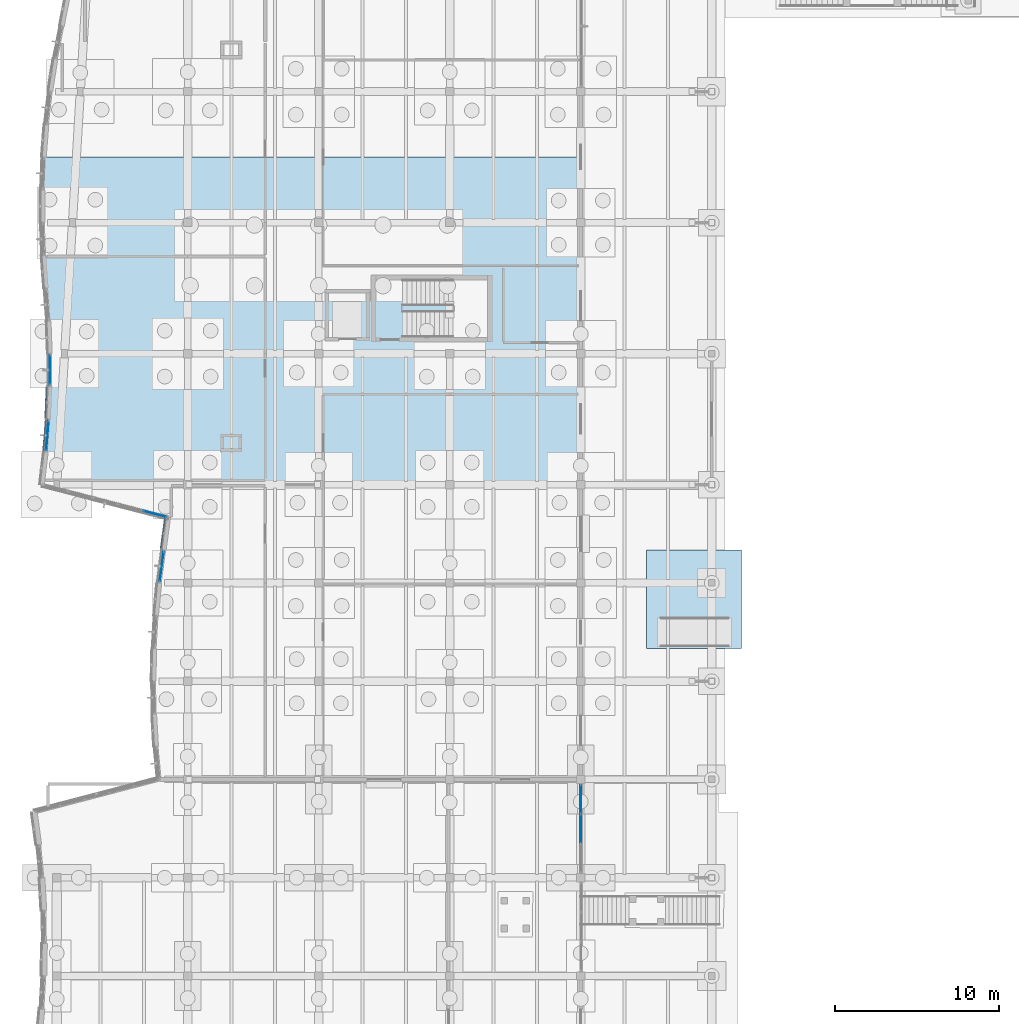
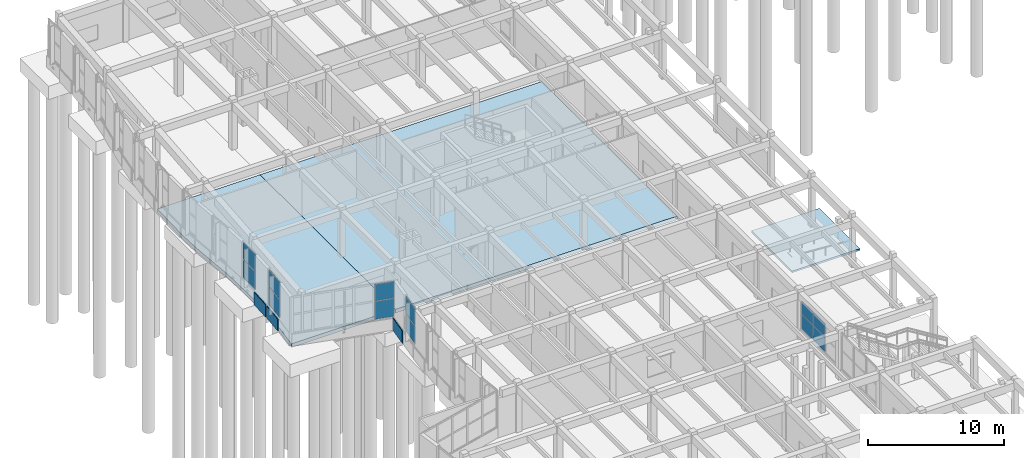
# One storey, part 52 of 99: 15 plates, 3 slabs, 5 elements without a shape of their own.
"""IFC4 building model written with IfcOpenShell, lengths in metres."""

from ifc_helpers import new_model, si_unit, direction, frame, origin, origin_2d, place, context, subcontext, project, spatial, polyline, rectangle, outline, extrude, material, layer, layer_set, type_object, element, aggregate, save


model = new_model("IFC4")

# Units and contexts
model_context = context("Model", 3, precision=1e-05, world=origin(), true_north=direction((0.0, 1.0)))
body_context = subcontext(model_context, "Body", "Model", "MODEL_VIEW")
ifc_project = project(units=[si_unit("LENGTHUNIT", "METRE"), si_unit("AREAUNIT", "SQUARE_METRE"), si_unit("VOLUMEUNIT", "CUBIC_METRE"), si_unit("PLANEANGLEUNIT", "RADIAN"), si_unit("MASSUNIT", "GRAM", prefix="KILO")], contexts=[model_context])

# Site, building, storey
site_placement = place(None, origin())
site = spatial("IfcSite", under=ifc_project, at=site_placement, CompositionType="ELEMENT")
building_placement = place(site_placement, origin())
building = spatial("IfcBuilding", under=site, at=building_placement, Name="Tonlespit Floodbar School", CompositionType="ELEMENT")
storey_placement = place(building_placement, origin())
storey = spatial("IfcBuildingStorey", under=building, at=storey_placement, Name="L00", CompositionType="ELEMENT", Elevation=0.0)

# Curtain wall, plates
ifc_material_1 = material(Name="Anodised Aluminium", Category="aluminium")
ifc_layer_1 = layer(ifc_material_1, 0.159912109375)
ifc_layer_set_1 = layer_set([ifc_layer_1], Name="Anodised Aluminium")
curtain_wall_type_1 = type_object("IfcCurtainWallType", Name="CurtainWall_1900x3300", PredefinedType="NOTDEFINED", material=ifc_layer_set_1)
curtain_wall_1_placement = place(storey_placement, origin())
curtain_wall_1 = element("IfcCurtainWall", 1, at=curtain_wall_1_placement, inside=storey, type_object=curtain_wall_type_1, Name="L00 unitised curtain wall 0257", PredefinedType="NOTDEFINED")
ifc_material_2 = material(Name="Laminated Low-E Glass", Category="glass")
ifc_layer_2 = layer(ifc_material_2, 0.028076171875)
ifc_layer_set_2 = layer_set([ifc_layer_2], Name="Laminated Low-E Glass")
plate_type_1 = type_object("IfcPlateType", Name="CW_Panel_Glaz_28", PredefinedType="CURTAIN_PANEL", material=ifc_layer_set_2)
plate_1_placement = place(storey_placement, frame((3.5927734375, 63.0, 1.014892578125), z_axis=(0.0, 0.0, 1.0), x_axis=(0.00218749477, 0.99999760743, 0.0)))
plate_1 = element("IfcPlate", 2, at=plate_1_placement, type_object=plate_type_1, Name="CW-02 panel 1.1", PredefinedType="CURTAIN_PANEL", context=body_context, shape_type="SweptSolid", body=[
    extrude(rectangle(XDim=1.7900390625, YDim=0.028076171875, at=origin_2d()), origin(), (0.0, 0.0, 1.0), 1.61328125),
])
plate_2_placement = place(storey_placement, frame((3.5927734375, 63.0, 2.693359375), z_axis=(0.0, 0.0, 1.0), x_axis=(0.00218749477, 0.99999760743, 0.0)))
plate_2 = element("IfcPlate", 3, at=plate_2_placement, type_object=plate_type_1, Name="CW-02 panel 1.2", PredefinedType="CURTAIN_PANEL", context=body_context, shape_type="SweptSolid", body=[
    extrude(rectangle(XDim=1.7900390625, YDim=0.028076171875, at=origin_2d()), origin(), (0.0, 0.0, 1.0), 1.481689453125),
])
aggregate(curtain_wall_1, [plate_1, plate_2])

ifc_layer_3 = layer(ifc_material_1, 0.159912109375)
ifc_layer_set_3 = layer_set([ifc_layer_3], Name="Anodised Aluminium")
curtain_wall_type_2 = type_object("IfcCurtainWallType", Name="CurtainWall_1950x3300", PredefinedType="NOTDEFINED", material=ifc_layer_set_3)
curtain_wall_2_placement = place(storey_placement, origin())
curtain_wall_2 = element("IfcCurtainWall", 4, at=curtain_wall_2_placement, inside=storey, type_object=curtain_wall_type_2, Name="L00 unitised curtain wall 0254", PredefinedType="NOTDEFINED")
ifc_layer_4 = layer(ifc_material_2, 0.031982421875)
ifc_layer_set_4 = layer_set([ifc_layer_4], Name="Laminated Low-E Glass")
plate_type_2 = type_object("IfcPlateType", Name="CW_Panel_Glaz_32", PredefinedType="CURTAIN_PANEL", material=ifc_layer_set_4)
plate_3_placement = place(storey_placement, frame((10.4140625, 51.0, 1.014892578125), z_axis=(0.0, 0.0, 1.0), x_axis=(0.134643564765, 0.990894096494, 0.0)))
plate_3 = element("IfcPlate", 5, at=plate_3_placement, type_object=plate_type_2, Name="CW-01 panel 1.1", PredefinedType="CURTAIN_PANEL", context=body_context, shape_type="SweptSolid", body=[
    extrude(rectangle(XDim=1.808349609375, YDim=0.031982421875, at=origin_2d()), origin(), (0.0, 0.0, 1.0), 1.61328125),
])
plate_4_placement = place(storey_placement, frame((10.4140625, 51.0, 2.693359375), z_axis=(0.0, 0.0, 1.0), x_axis=(0.134643564765, 0.990894096494, 0.0)))
plate_4 = element("IfcPlate", 6, at=plate_4_placement, type_object=plate_type_2, Name="CW-01 panel 1.2", PredefinedType="CURTAIN_PANEL", context=body_context, shape_type="SweptSolid", body=[
    extrude(rectangle(XDim=1.808349609375, YDim=0.031982421875, at=origin_2d()), origin(), (0.0, 0.0, 1.0), 1.481689453125),
])
aggregate(curtain_wall_2, [plate_3, plate_4])

ifc_layer_5 = layer(ifc_material_1, 0.159912109375)
ifc_layer_set_5 = layer_set([ifc_layer_5], Name="Anodised Aluminium")
curtain_wall_type_3 = type_object("IfcCurtainWallType", Name="CurtainWall_7900x3300", PredefinedType="NOTDEFINED", material=ifc_layer_set_5)
curtain_wall_3_placement = place(storey_placement, origin())
curtain_wall_3 = element("IfcCurtainWall", 7, at=curtain_wall_3_placement, inside=storey, type_object=curtain_wall_type_3, Name="L00 unitised curtain wall 0255", PredefinedType="NOTDEFINED")
ifc_layer_6 = layer(ifc_material_2, 0.035888671875)
ifc_layer_set_6 = layer_set([ifc_layer_6], Name="Laminated Low-E Glass")
plate_type_3 = type_object("IfcPlateType", Name="CW_Panel_Glaz_36", PredefinedType="CURTAIN_PANEL", material=ifc_layer_set_6)
plate_5_placement = place(storey_placement, frame((10.00439453125, 54.212158203125, 1.014892578125), z_axis=(0.0, 0.0, 1.0), x_axis=(-0.967934999685, 0.25120078898, 0.0)))
plate_5 = element("IfcPlate", 8, at=plate_5_placement, type_object=plate_type_3, Name="CW-33 panel 1.1", PredefinedType="CURTAIN_PANEL", context=body_context, shape_type="SweptSolid", body=[
    extrude(rectangle(XDim=1.47900390625, YDim=0.035888671875, at=origin_2d()), origin(), (0.0, 0.0, 1.0), 1.61328125),
])
plate_6_placement = place(storey_placement, frame((10.00439453125, 54.212158203125, 2.693359375), z_axis=(0.0, 0.0, 1.0), x_axis=(-0.967934999685, 0.25120078898, 0.0)))
plate_6 = element("IfcPlate", 9, at=plate_6_placement, type_object=plate_type_3, Name="CW-33 panel 1.2", PredefinedType="CURTAIN_PANEL", context=body_context, shape_type="SweptSolid", body=[
    extrude(rectangle(XDim=1.47900390625, YDim=0.035888671875, at=origin_2d()), origin(), (0.0, 0.0, 1.0), 1.481689453125),
])
aggregate(curtain_wall_3, [plate_5, plate_6])

curtain_wall_4_placement = place(storey_placement, origin())
curtain_wall_4 = element("IfcCurtainWall", 10, at=curtain_wall_4_placement, inside=storey, type_object=curtain_wall_type_2, Name="L00 unitised curtain wall 0256", PredefinedType="NOTDEFINED")
ifc_layer_7 = layer(ifc_material_2, 0.0419921875)
ifc_layer_set_7 = layer_set([ifc_layer_7], Name="Laminated Low-E Glass")
plate_type_4 = type_object("IfcPlateType", Name="CW_Panel_Glaz_42", PredefinedType="CURTAIN_PANEL", material=ifc_layer_set_7)
plate_7_placement = place(storey_placement, frame((3.429931640625, 59.0, 1.014892578125), z_axis=(0.0, 0.0, 1.0), x_axis=(0.078963166836, 0.996877534245, 0.0)))
plate_7 = element("IfcPlate", 11, at=plate_7_placement, type_object=plate_type_4, Name="CW-01 panel 1.1", PredefinedType="CURTAIN_PANEL", context=body_context, shape_type="SweptSolid", body=[
    extrude(rectangle(XDim=1.796142578125, YDim=0.0419921875, at=origin_2d()), origin(), (0.0, 0.0, 1.0), 1.61328125),
])
plate_8_placement = place(storey_placement, frame((3.429931640625, 59.0, 2.693359375), z_axis=(0.0, 0.0, 1.0), x_axis=(0.078963166836, 0.996877534245, 0.0)))
plate_8 = element("IfcPlate", 12, at=plate_8_placement, type_object=plate_type_4, Name="CW-01 panel 1.2", PredefinedType="CURTAIN_PANEL", context=body_context, shape_type="SweptSolid", body=[
    extrude(rectangle(XDim=1.796142578125, YDim=0.0419921875, at=origin_2d()), origin(), (0.0, 0.0, 1.0), 1.481689453125),
])
aggregate(curtain_wall_4, [plate_7, plate_8])

ifc_layer_8 = layer(ifc_material_1, 0.159912109375)
ifc_layer_set_8 = layer_set([ifc_layer_8], Name="Anodised Aluminium")
curtain_wall_type_4 = type_object("IfcCurtainWallType", Name="CurtainWall_5400x2650", PredefinedType="NOTDEFINED", material=ifc_layer_set_8)
curtain_wall_5_placement = place(storey_placement, origin())
curtain_wall_5 = element("IfcCurtainWall", 13, at=curtain_wall_5_placement, inside=storey, type_object=curtain_wall_type_4, Name="L00 unitised curtain wall 0508", PredefinedType="NOTDEFINED")
plate_9_placement = place(storey_placement, frame((36.0, 36.79052734375, 1.014892578125), z_axis=(0.0, 0.0, 1.0), x_axis=(0.0, -1.0, 0.0)))
plate_9 = element("IfcPlate", 14, at=plate_9_placement, type_object=plate_type_4, Name="CW-82 panel 1.1", PredefinedType="CURTAIN_PANEL", context=body_context, shape_type="SweptSolid", body=[
    extrude(rectangle(XDim=1.709228515625, YDim=0.0419921875, at=origin_2d()), origin(), (0.0, 0.0, 1.0), 1.275390625),
])
plate_10_placement = place(storey_placement, frame((36.0, 36.79052734375, 2.35546875), z_axis=(0.0, 0.0, 1.0), x_axis=(0.0, -1.0, 0.0)))
plate_10 = element("IfcPlate", 15, at=plate_10_placement, type_object=plate_type_4, Name="CW-82 panel 1.2", PredefinedType="CURTAIN_PANEL", context=body_context, shape_type="SweptSolid", body=[
    extrude(rectangle(XDim=1.709228515625, YDim=0.0419921875, at=origin_2d()), origin(), (0.0, 0.0, 1.0), 1.169677734375),
])
plate_11_placement = place(storey_placement, frame((36.0, 35.0, 1.014892578125), z_axis=(0.0, 0.0, 1.0), x_axis=(0.0, -1.0, 0.0)))
plate_11 = element("IfcPlate", 16, at=plate_11_placement, type_object=plate_type_4, Name="CW-82 panel 2.1", PredefinedType="CURTAIN_PANEL", context=body_context, shape_type="SweptSolid", body=[
    extrude(rectangle(XDim=1.74169921875, YDim=0.0419921875, at=origin_2d()), origin(), (0.0, 0.0, 1.0), 1.275390625),
])
plate_12_placement = place(storey_placement, frame((36.0, 35.0, 2.35546875), z_axis=(0.0, 0.0, 1.0), x_axis=(0.0, -1.0, 0.0)))
plate_12 = element("IfcPlate", 17, at=plate_12_placement, type_object=plate_type_4, Name="CW-82 panel 2.2", PredefinedType="CURTAIN_PANEL", context=body_context, shape_type="SweptSolid", body=[
    extrude(rectangle(XDim=1.74169921875, YDim=0.0419921875, at=origin_2d()), origin(), (0.0, 0.0, 1.0), 1.169677734375),
])
aggregate(curtain_wall_5, [plate_9, plate_10, plate_11, plate_12])

# Plates
ifc_material_3 = material(Name="White Architectural Aluminium", Category="aluminium")
ifc_layer_9 = layer(ifc_material_3, 0.06494140625)
ifc_layer_set_9 = layer_set([ifc_layer_9], Name="White Architectural Aluminium")
plate_type_5 = type_object("IfcPlateType", Name="FacadeRibbon_White_65", PredefinedType="SHEET", material=ifc_layer_set_9)
plate_13_placement = place(storey_placement, frame((10.475830078125, 53.028564453125, -0.1201171875), z_axis=(0.0, 0.0, 1.0), x_axis=(0.134662424626, 0.990891533617, 0.0)))
element("IfcPlate", 18, at=plate_13_placement, inside=storey, type_object=plate_type_5, Name="L00 flowing white street spandrel ribbon 0492", PredefinedType="SHEET", context=body_context, shape_type="SweptSolid", body=[
    extrude(rectangle(XDim=1.8583984375, YDim=0.06494140625, at=origin_2d()), origin(), (0.0, 0.0, 1.0), 1.1201171875),
])
plate_14_placement = place(storey_placement, frame((3.248291015625, 59.014404296875, -0.1201171875), z_axis=(0.0, 0.0, 1.0), x_axis=(0.079001948152, 0.996874461599, 0.0)))
element("IfcPlate", 19, at=plate_14_placement, inside=storey, type_object=plate_type_5, Name="L00 flowing white street spandrel ribbon 0495", PredefinedType="SHEET", context=body_context, shape_type="SweptSolid", body=[
    extrude(rectangle(XDim=1.84619140625, YDim=0.06494140625, at=origin_2d()), origin(), (0.0, 0.0, 1.0), 1.070068359375),
])
plate_15_placement = place(storey_placement, frame((3.337890625, 61.008544921875, -0.1201171875), z_axis=(0.0, 0.0, 1.0), x_axis=(0.040715999914, 0.999170759856, 0.0)))
element("IfcPlate", 20, at=plate_15_placement, inside=storey, type_object=plate_type_5, Name="L00 flowing white street spandrel ribbon 0496", PredefinedType="SHEET", context=body_context, shape_type="SweptSolid", body=[
    extrude(rectangle(XDim=1.841796875, YDim=0.06494140625, at=origin_2d()), origin(), (0.0, 0.0, 1.0), 1.1201171875),
])

# Slabs
ifc_material_4 = material(Name="Concrete C40/50", Category="concrete")
ifc_layer_10 = layer(ifc_material_4, 0.159912109375)
ifc_layer_set_10 = layer_set([ifc_layer_10], Name="Concrete C40/50")
slab_type_1 = type_object("IfcSlabType", Name="Slab_Apron_RC_160", PredefinedType="BASESLAB", material=ifc_layer_set_10)
slab_1_placement = place(storey_placement, frame((0.0, 0.0, -0.4599609375)))
element("IfcSlab", 21, at=slab_1_placement, inside=storey, type_object=slab_type_1, Name="Entrance ramp lower apron APR-W2", PredefinedType="BASESLAB", context=body_context, shape_type="SweptSolid", body=[
    extrude(outline(polyline([(40.0, 46.0), (45.800048828125, 46.0), (45.800048828125, 52.0), (40.0, 52.0), (40.0, 46.0)])), origin(), (0.0, 0.0, 1.0), 0.159912109375),
])
ifc_layer_11 = layer(ifc_material_4, 0.330078125)
ifc_layer_set_11 = layer_set([ifc_layer_11], Name="Concrete C40/50")
slab_type_2 = type_object("IfcSlabType", Name="Slab_Base_Tank_RC_320", PredefinedType="BASESLAB", material=ifc_layer_set_11)
slab_2_placement = place(storey_placement, frame((0.0, 0.0, -0.330078125)))
element("IfcSlab", 22, at=slab_2_placement, inside=storey, type_object=slab_type_2, Name="L00 V2 L00 mid STEAM lab slab", PredefinedType="BASESLAB", context=body_context, shape_type="SweptSolid", body=[
    extrude(outline(polyline([(12.0, 76.0), (36.0, 76.0), (36.0, 56.0), (12.0, 56.0), (12.0, 76.0)])), origin(), (0.0, 0.0, 1.0), 0.330078125),
])
slab_3_placement = place(storey_placement, frame((0.0, 0.0, -0.330078125)))
element("IfcSlab", 23, at=slab_3_placement, inside=storey, type_object=slab_type_2, Name="L00 V2 L00 splayed studio slab 56", PredefinedType="BASESLAB", context=body_context, shape_type="SweptSolid", body=[
    extrude(outline(polyline([(3.114990234375, 56.0), (3.3505859375, 58.0), (3.590576171875, 62.0), (3.521728515625, 66.0), (3.21826171875, 70.0), (3.14501953125, 72.0), (3.23095703125, 76.0), (12.0, 76.0), (12.0, 56.0), (3.114990234375, 56.0)])), origin(), (0.0, 0.0, 1.0), 0.330078125),
])

save(model, "model.ifc")
